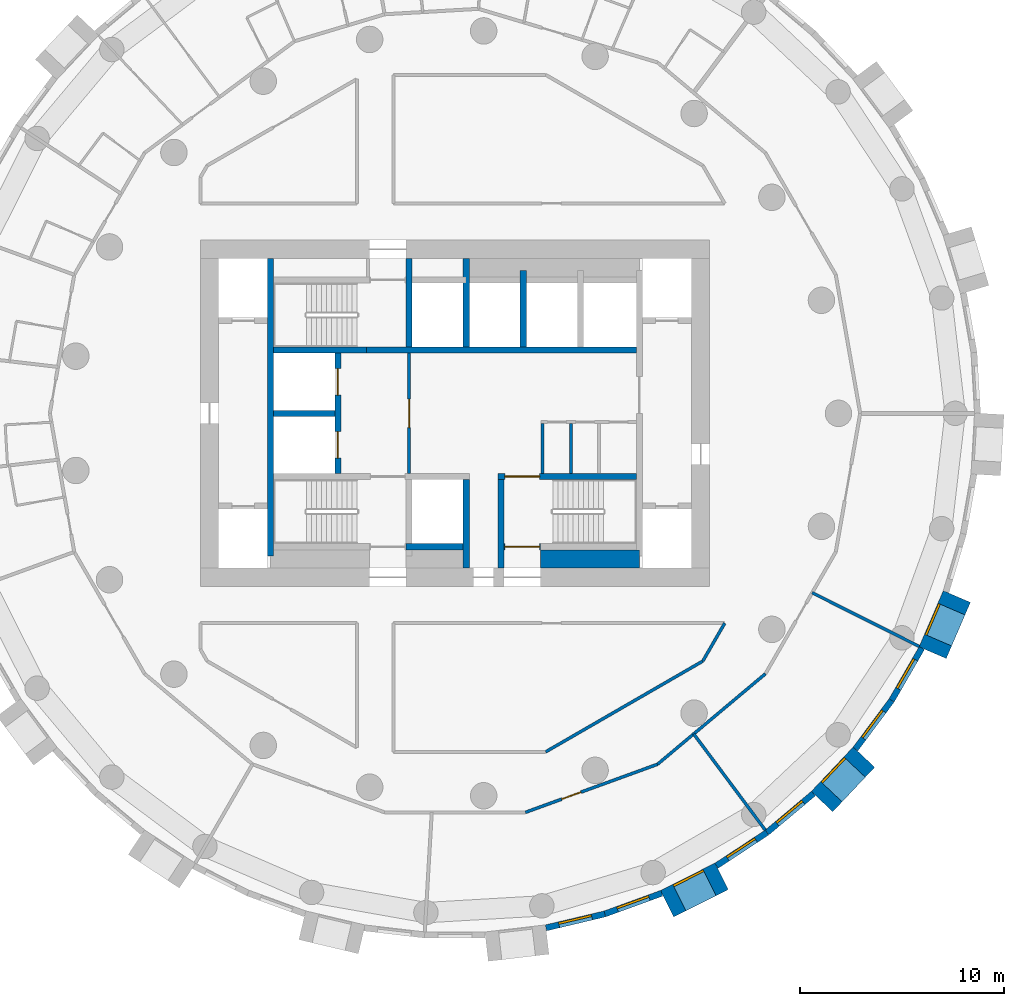
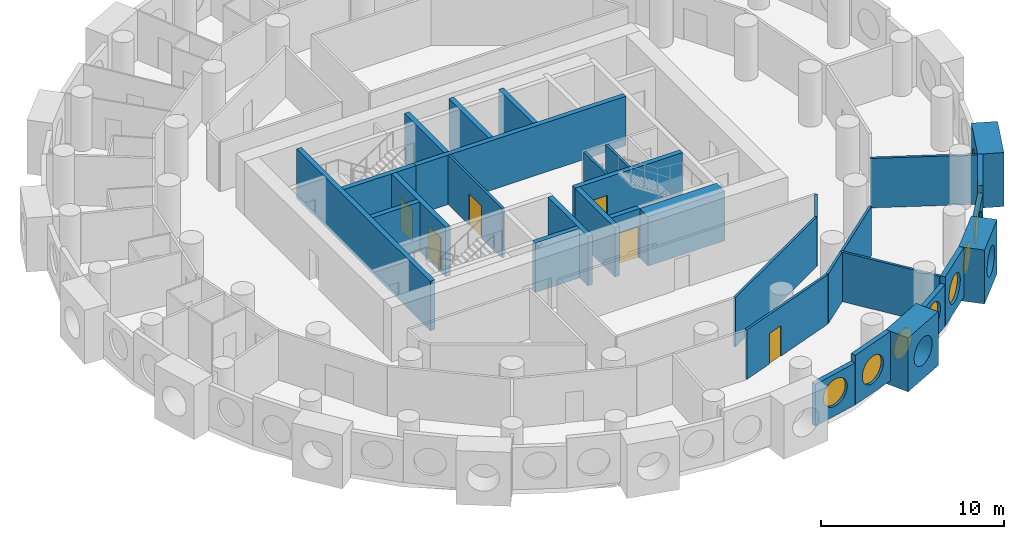
# One storey, part 4 of 10: 32 walls, 9 windows, 6 doors, 15 openings.
"""IFC4 building model written with IfcOpenShell, lengths in metres."""

from ifc_helpers import new_model, si_unit, direction, frame, frame_2d, origin, origin_2d, place, context, subcontext, project, spatial, rectangle, circle, extrude, material, layer, layer_set, type_object, element, fill, save


model = new_model("IFC4")

# Units and contexts
model_context = context("Model", 3, precision=1e-05, world=origin(), true_north=direction((0.0, 1.0)))
body_context = subcontext(model_context, "Body", "Model", "MODEL_VIEW")
ifc_project = project(units=[si_unit("LENGTHUNIT", "METRE"), si_unit("AREAUNIT", "SQUARE_METRE"), si_unit("VOLUMEUNIT", "CUBIC_METRE"), si_unit("PLANEANGLEUNIT", "RADIAN"), si_unit("MASSUNIT", "GRAM", prefix="KILO")], contexts=[model_context])

# Site, building, storey
site_placement = place(None, origin())
site = spatial("IfcSite", under=ifc_project, at=site_placement, CompositionType="ELEMENT")
building_placement = place(site_placement, origin())
building = spatial("IfcBuilding", under=site, at=building_placement, Name="Tracery Tower", CompositionType="ELEMENT")
storey_placement = place(building_placement, frame((0.0, 0.0, 136.800048828125)))
storey = spatial("IfcBuildingStorey", under=building, at=storey_placement, Name="L34", CompositionType="ELEMENT", Elevation=136.800048828125)

# Wall, opening, door
ifc_material_1 = material(Name="Plasterboard on steel studs", Category="steel")
ifc_layer_1 = layer(ifc_material_1, 0.14990234375)
ifc_layer_set_1 = layer_set([ifc_layer_1], Name="Core lobby partition 150")
wall_type_1 = type_object("IfcWallType", Name="Core lobby partition 150", PredefinedType="SOLIDWALL", material=ifc_layer_set_1)
wall_1_placement = place(storey_placement, frame((-2.25, -2.949951171875, 0.0), z_axis=(0.0, 0.0, 1.0), x_axis=(0.0, 1.0, 0.0)))
wall_1 = element("IfcWall", 1, at=wall_1_placement, inside=storey, type_object=wall_type_1, Name="L34 FF lobby E", PredefinedType="SOLIDWALL", context=body_context, shape_type="SweptSolid", body=[
    extrude(rectangle(XDim=5.89990234375, YDim=0.14990234375, at=frame_2d((2.949951171875, 0.0))), origin(), (0.0, 0.0, 1.0), 3.300048828125),
])
opening_1_placement = place(wall_1_placement, frame((2.25, 0.0, 0.0)))
opening_1 = element("IfcOpeningElement", 2, at=opening_1_placement, cuts=wall_1, Name="Opening KD8", PredefinedType="OPENING", context=body_context, shape_type="SweptSolid", body=[
    extrude(rectangle(XDim=1.39990234375, YDim=2.10009765625, at=frame_2d((0.699951171875, 1.050048828125))), frame((0.0, 0.074951171875, 0.0), z_axis=(0.0, -1.0, 0.0), x_axis=(1.0, 0.0, 0.0)), (0.0, 0.0, 1.0), 0.14990234375),
])
ifc_material_2 = material(Name="Steel fire door", Category="steel")
door_type_1 = type_object("IfcDoorType", Name="Core lobby door 1400 double", OperationType="NOTDEFINED", PredefinedType="DOOR", material=ifc_material_2)
door_1_placement = place(opening_1_placement, origin())
door_1 = element("IfcDoor", 3, at=door_1_placement, inside=storey, type_object=door_type_1, Name="Fire-fighting lobby door", OperationType="DOUBLE_DOOR_SINGLE_SWING", OverallHeight=2.10009765625, OverallWidth=1.39990234375, PredefinedType="DOOR", context=body_context, shape_type="SweptSolid", body=[
    extrude(rectangle(XDim=1.39990234375, YDim=2.10009765625, at=frame_2d((0.699951171875, 1.050048828125))), frame((0.0, 0.02490234375, 0.0), z_axis=(0.0, -1.0, 0.0), x_axis=(1.0, 0.0, 0.0)), (0.0, 0.0, 1.0), 0.050048828125),
])
fill(opening_1, door_1)

# Walls
ifc_material_3 = material(Name="Plasterboard on steel studs", Category="steel")
ifc_layer_2 = layer(ifc_material_3, 0.14990234375)
ifc_layer_set_2 = layer_set([ifc_layer_2], Name="Core room partition 150")
wall_type_2 = type_object("IfcWallType", Name="Core room partition 150", PredefinedType="SOLIDWALL", material=ifc_layer_set_2)
for number, where, z_axis, x_axis, name in (
    (4, (4.300048828125, -2.949951171875, 0.0), (0.0, 0.0, 1.0), (0.0, 1.0, 0.0), "L34 slot W"),
    (5, (5.699951171875, -2.949951171875, 0.0), (0.0, 0.0, 1.0), (0.0, 1.0, 0.0), "L34 slot sep 1"),
):
    element("IfcWall", number, at=place(storey_placement, frame(where, z_axis=z_axis, x_axis=x_axis)), inside=storey, type_object=wall_type_2, Name=name, PredefinedType="SOLIDWALL", context=body_context, shape_type="SweptSolid", body=[
        extrude(rectangle(XDim=2.449951171875, YDim=0.14990234375, at=frame_2d((1.22509765625, 0.0))), origin(), (0.0, 0.0, 1.0), 3.300048828125),
    ])
ifc_material_4 = material(Name="Concrete C50/60", Category="concrete")
ifc_layer_3 = layer(ifc_material_4, 0.89990234375)
ifc_layer_set_3 = layer_set([ifc_layer_3], Name="Core strip wall 900 C50")
wall_type_3 = type_object("IfcWallType", Name="Core strip wall 900 C50", PredefinedType="SOLIDWALL", material=ifc_layer_set_3)
wall_2_placement = place(storey_placement, frame((4.199951171875, -7.14990234375, 0.0), z_axis=(0.0, 0.0, 1.0), x_axis=(1.0, 0.0, 0.0)))
element("IfcWall", 6, at=wall_2_placement, inside=storey, type_object=wall_type_3, Name="L34 F thick S E", PredefinedType="SOLIDWALL", context=body_context, shape_type="SweptSolid", body=[
    extrude(rectangle(XDim=4.85009765625, YDim=0.89990234375, at=frame_2d((2.425048828125, 0.0))), origin(), (0.0, 0.0, 1.0), 3.300048828125),
])

# Wall, opening, window
ifc_material_5 = material(Name="Precast concrete C50/60", Category="concrete")
ifc_layer_4 = layer(ifc_material_5, 1.449951171875)
ifc_layer_set_4 = layer_set([ifc_layer_4], Name="Deep-set bay unit 3000 x 3600, slab edge 300")
wall_type_4 = type_object("IfcWallType", Name="Deep-set bay unit 3000 x 3600, slab edge 300", PredefinedType="ELEMENTEDWALL", material=ifc_layer_set_4)
wall_3_placement = place(storey_placement, frame((10.40869140625, -24.067626953125, -0.300048828125), z_axis=(0.0, 0.0, 1.0), x_axis=(0.893628249713, 0.448807922518, 0.0)))
wall_3 = element("IfcWall", 7, at=wall_3_placement, inside=storey, type_object=wall_type_4, Name="Deep-set bay unit 45 at L34", PredefinedType="ELEMENTEDWALL", context=body_context, shape_type="SweptSolid", body=[
    extrude(rectangle(XDim=3.0, YDim=1.449951171875, at=frame_2d((1.5, 0.0))), origin(), (0.0, 0.0, 1.0), 3.60009765625),
])
opening_2_placement = place(wall_3_placement, frame((1.5, 0.0, 1.85009765625)))
opening_2 = element("IfcOpeningElement", 8, at=opening_2_placement, cuts=wall_3, Name="Opening WN1", PredefinedType="OPENING", context=body_context, shape_type="SweptSolid", body=[
    extrude(circle(Radius=0.9000244140625, at=origin_2d()), frame((0.0, 0.73486328125, 0.0), z_axis=(0.0, -1.0, 0.0), x_axis=(1.0, 0.0, 0.0)), (0.0, 0.0, 1.0), 1.469970703125),
])
ifc_material_6 = material(Name="Aluminium frame with tinted double glazing", Category="aluminium")
window_type = type_object("IfcWindowType", Name="Round window 1800", PartitioningType="SINGLE_PANEL", PredefinedType="WINDOW", material=ifc_material_6)
window_1_placement = place(opening_2_placement, origin())
window_1 = element("IfcWindow", 9, at=window_1_placement, inside=storey, type_object=window_type, Name="Round window 45 at L34", OverallHeight=1.800048828125, OverallWidth=1.800048828125, PartitioningType="SINGLE_PANEL", PredefinedType="WINDOW", context=body_context, shape_type="SweptSolid", body=[
    extrude(circle(Radius=0.9000244140625, at=origin_2d()), frame((0.0, 0.69482421875, 0.0), z_axis=(0.0, -1.0, 0.0), x_axis=(1.0, 0.0, 0.0)), (0.0, 0.0, 1.0), 0.10009765625),
])
fill(opening_2, window_1)

wall_4_placement = place(storey_placement, frame((18.0126953125, -19.05615234375, -0.300048828125), z_axis=(0.0, 0.0, 1.0), x_axis=(0.686217177108, 0.727396718334, 0.0)))
wall_4 = element("IfcWall", 10, at=wall_4_placement, inside=storey, type_object=wall_type_4, Name="Deep-set bay unit 48 at L34", PredefinedType="ELEMENTEDWALL", context=body_context, shape_type="SweptSolid", body=[
    extrude(rectangle(XDim=3.0, YDim=1.449951171875, at=frame_2d((1.5, 0.0))), origin(), (0.0, 0.0, 1.0), 3.60009765625),
])
opening_3_placement = place(wall_4_placement, frame((1.5, 0.0, 1.85009765625)))
opening_3 = element("IfcOpeningElement", 11, at=opening_3_placement, cuts=wall_4, Name="Opening WN1", PredefinedType="OPENING", context=body_context, shape_type="SweptSolid", body=[
    extrude(circle(Radius=0.9000244140625, at=origin_2d()), frame((0.0, 0.73486328125, 0.0), z_axis=(0.0, -1.0, 0.0), x_axis=(1.0, 0.0, 0.0)), (0.0, 0.0, 1.0), 1.469970703125),
])
window_2_placement = place(opening_3_placement, origin())
window_2 = element("IfcWindow", 12, at=window_2_placement, inside=storey, type_object=window_type, Name="Round window 48 at L34", OverallHeight=1.800048828125, OverallWidth=1.800048828125, PartitioningType="SINGLE_PANEL", PredefinedType="WINDOW", context=body_context, shape_type="SweptSolid", body=[
    extrude(circle(Radius=0.9000244140625, at=origin_2d()), frame((0.0, 0.69482421875, 0.0), z_axis=(0.0, -1.0, 0.0), x_axis=(1.0, 0.0, 0.0)), (0.0, 0.0, 1.0), 0.10009765625),
])
fill(opening_3, window_2)

wall_5_placement = place(storey_placement, frame((23.44384765625, -11.746337890625, -0.300048828125), z_axis=(0.0, 0.0, 1.0), x_axis=(0.396079003245, 0.918216435917, 0.0)))
wall_5 = element("IfcWall", 13, at=wall_5_placement, inside=storey, type_object=wall_type_4, Name="Deep-set bay unit 51 at L34", PredefinedType="ELEMENTEDWALL", context=body_context, shape_type="SweptSolid", body=[
    extrude(rectangle(XDim=3.0, YDim=1.449951171875, at=frame_2d((1.5, 0.0))), origin(), (0.0, 0.0, 1.0), 3.60009765625),
])
opening_4_placement = place(wall_5_placement, frame((1.5, 0.0, 1.85009765625)))
opening_4 = element("IfcOpeningElement", 14, at=opening_4_placement, cuts=wall_5, Name="Opening WN1", PredefinedType="OPENING", context=body_context, shape_type="SweptSolid", body=[
    extrude(circle(Radius=0.9000244140625, at=origin_2d()), frame((0.0, 0.73486328125, 0.0), z_axis=(0.0, -1.0, 0.0), x_axis=(1.0, 0.0, 0.0)), (0.0, 0.0, 1.0), 1.469970703125),
])
window_3_placement = place(opening_4_placement, origin())
window_3 = element("IfcWindow", 15, at=window_3_placement, inside=storey, type_object=window_type, Name="Round window 51 at L34", OverallHeight=1.800048828125, OverallWidth=1.800048828125, PartitioningType="SINGLE_PANEL", PredefinedType="WINDOW", context=body_context, shape_type="SweptSolid", body=[
    extrude(circle(Radius=0.9000244140625, at=origin_2d()), frame((0.0, 0.69482421875, 0.0), z_axis=(0.0, -1.0, 0.0), x_axis=(1.0, 0.0, 0.0)), (0.0, 0.0, 1.0), 0.10009765625),
])
fill(opening_4, window_3)

ifc_material_7 = material(Name="Precast concrete C50/60", Category="concrete")
ifc_layer_5 = layer(ifc_material_7, 0.300048828125)
ifc_layer_set_5 = layer_set([ifc_layer_5], Name="Facade panel 3000 x 2800")
wall_type_5 = type_object("IfcWallType", Name="Facade panel 3000 x 2800", PredefinedType="SOLIDWALL", material=ifc_layer_set_5)
wall_6_placement = place(storey_placement, frame((4.463134765625, -25.255615234375, 0.0), z_axis=(0.0, 0.0, 1.0), x_axis=(0.973045378923, 0.230613725862, 0.0)))
wall_6 = element("IfcWall", 16, at=wall_6_placement, inside=storey, type_object=wall_type_5, Name="Facade panel 43 at L34", PredefinedType="SOLIDWALL", context=body_context, shape_type="SweptSolid", body=[
    extrude(rectangle(XDim=2.97265625, YDim=0.300048828125, at=frame_2d((1.486328125, 0.0))), origin(), (0.0, 0.0, 1.0), 2.800048828125),
])
opening_5_placement = place(wall_6_placement, frame((1.486328125, 0.0, 1.5498046875)))
opening_5 = element("IfcOpeningElement", 17, at=opening_5_placement, cuts=wall_6, Name="Opening WN1", PredefinedType="OPENING", context=body_context, shape_type="SweptSolid", body=[
    extrude(circle(Radius=0.9000244140625, at=origin_2d()), frame((0.0, 0.159912109375, 0.0), z_axis=(0.0, -1.0, 0.0), x_axis=(1.0, 0.0, 0.0)), (0.0, 0.0, 1.0), 0.320068359375),
])
window_4_placement = place(opening_5_placement, origin())
window_4 = element("IfcWindow", 18, at=window_4_placement, inside=storey, type_object=window_type, Name="Round window 43 at L34", OverallHeight=1.800048828125, OverallWidth=1.800048828125, PartitioningType="SINGLE_PANEL", PredefinedType="WINDOW", context=body_context, shape_type="SweptSolid", body=[
    extrude(circle(Radius=0.9000244140625, at=origin_2d()), frame((0.0, 0.1201171875, 0.0), z_axis=(0.0, -1.0, 0.0), x_axis=(1.0, 0.0, 0.0)), (0.0, 0.0, 1.0), 0.10009765625),
])
fill(opening_5, window_4)

wall_7_placement = place(storey_placement, frame((12.831787109375, -22.2060546875, 0.0), z_axis=(0.0, 0.0, 1.0), x_axis=(0.835508361394, 0.54947773207, 0.0)))
wall_7 = element("IfcWall", 19, at=wall_7_placement, inside=storey, type_object=wall_type_5, Name="Facade panel 46 at L34", PredefinedType="SOLIDWALL", context=body_context, shape_type="SweptSolid", body=[
    extrude(rectangle(XDim=2.972900390625, YDim=0.300048828125, at=frame_2d((1.486328125, 0.0))), origin(), (0.0, 0.0, 1.0), 2.800048828125),
])
opening_6_placement = place(wall_7_placement, frame((1.486328125, 0.0, 1.5498046875)))
opening_6 = element("IfcOpeningElement", 20, at=opening_6_placement, cuts=wall_7, Name="Opening WN1", PredefinedType="OPENING", context=body_context, shape_type="SweptSolid", body=[
    extrude(circle(Radius=0.9000244140625, at=origin_2d()), frame((0.0, 0.159912109375, 0.0), z_axis=(0.0, -1.0, 0.0), x_axis=(1.0, 0.0, 0.0)), (0.0, 0.0, 1.0), 0.320068359375),
])
window_5_placement = place(opening_6_placement, origin())
window_5 = element("IfcWindow", 21, at=window_5_placement, inside=storey, type_object=window_type, Name="Round window 46 at L34", OverallHeight=1.800048828125, OverallWidth=1.800048828125, PartitioningType="SINGLE_PANEL", PredefinedType="WINDOW", context=body_context, shape_type="SweptSolid", body=[
    extrude(circle(Radius=0.9000244140625, at=origin_2d()), frame((0.0, 0.1201171875, 0.0), z_axis=(0.0, -1.0, 0.0), x_axis=(1.0, 0.0, 0.0)), (0.0, 0.0, 1.0), 0.10009765625),
])
fill(opening_6, window_5)

wall_8_placement = place(storey_placement, frame((19.65283203125, -16.47802734375, 0.0), z_axis=(0.0, 0.0, 1.0), x_axis=(0.597197580538, 0.80209416517, 0.0)))
wall_8 = element("IfcWall", 22, at=wall_8_placement, inside=storey, type_object=wall_type_5, Name="Facade panel 49 at L34", PredefinedType="SOLIDWALL", context=body_context, shape_type="SweptSolid", body=[
    extrude(rectangle(XDim=2.972900390625, YDim=0.300048828125, at=frame_2d((1.486328125, 0.0))), origin(), (0.0, 0.0, 1.0), 2.800048828125),
])
opening_7_placement = place(wall_8_placement, frame((1.486328125, 0.0, 1.5498046875)))
opening_7 = element("IfcOpeningElement", 23, at=opening_7_placement, cuts=wall_8, Name="Opening WN1", PredefinedType="OPENING", context=body_context, shape_type="SweptSolid", body=[
    extrude(circle(Radius=0.9000244140625, at=origin_2d()), frame((0.0, 0.159912109375, 0.0), z_axis=(0.0, -1.0, 0.0), x_axis=(1.0, 0.0, 0.0)), (0.0, 0.0, 1.0), 0.320068359375),
])
window_6_placement = place(opening_7_placement, origin())
window_6 = element("IfcWindow", 24, at=window_6_placement, inside=storey, type_object=window_type, Name="Round window 49 at L34", OverallHeight=1.800048828125, OverallWidth=1.800048828125, PartitioningType="SINGLE_PANEL", PredefinedType="WINDOW", context=body_context, shape_type="SweptSolid", body=[
    extrude(circle(Radius=0.9000244140625, at=origin_2d()), frame((0.0, 0.1201171875, 0.0), z_axis=(0.0, -1.0, 0.0), x_axis=(1.0, 0.0, 0.0)), (0.0, 0.0, 1.0), 0.10009765625),
])
fill(opening_7, window_6)

ifc_material_8 = material(Name="Precast concrete C50/60", Category="concrete")
ifc_layer_6 = layer(ifc_material_8, 0.300048828125)
ifc_layer_set_6 = layer_set([ifc_layer_6], Name="Facade panel 3000 x 3300")
wall_type_6 = type_object("IfcWallType", Name="Facade panel 3000 x 3300", PredefinedType="SOLIDWALL", material=ifc_layer_set_6)
wall_9_placement = place(storey_placement, frame((7.355712890625, -24.570068359375, 0.0), z_axis=(0.0, 0.0, 1.0), x_axis=(0.939690282133, 0.342026568652, 0.0)))
wall_9 = element("IfcWall", 25, at=wall_9_placement, inside=storey, type_object=wall_type_6, Name="Facade panel 44 at L34", PredefinedType="SOLIDWALL", context=body_context, shape_type="SweptSolid", body=[
    extrude(rectangle(XDim=2.972900390625, YDim=0.300048828125, at=frame_2d((1.486328125, 0.0))), origin(), (0.0, 0.0, 1.0), 3.300048828125),
])
opening_8_placement = place(wall_9_placement, frame((1.486328125, 0.0, 1.5498046875)))
opening_8 = element("IfcOpeningElement", 26, at=opening_8_placement, cuts=wall_9, Name="Opening WN1", PredefinedType="OPENING", context=body_context, shape_type="SweptSolid", body=[
    extrude(circle(Radius=0.9000244140625, at=origin_2d()), frame((0.0, 0.159912109375, 0.0), z_axis=(0.0, -1.0, 0.0), x_axis=(1.0, 0.0, 0.0)), (0.0, 0.0, 1.0), 0.320068359375),
])
window_7_placement = place(opening_8_placement, origin())
window_7 = element("IfcWindow", 27, at=window_7_placement, inside=storey, type_object=window_type, Name="Round window 44 at L34", OverallHeight=1.800048828125, OverallWidth=1.800048828125, PartitioningType="SINGLE_PANEL", PredefinedType="WINDOW", context=body_context, shape_type="SweptSolid", body=[
    extrude(circle(Radius=0.9000244140625, at=origin_2d()), frame((0.0, 0.1201171875, 0.0), z_axis=(0.0, -1.0, 0.0), x_axis=(1.0, 0.0, 0.0)), (0.0, 0.0, 1.0), 0.10009765625),
])
fill(opening_8, window_7)

wall_10_placement = place(storey_placement, frame((15.315673828125, -20.572509765625, 0.0), z_axis=(0.0, 0.0, 1.0), x_axis=(0.766008913364, 0.642829950023, 0.0)))
wall_10 = element("IfcWall", 28, at=wall_10_placement, inside=storey, type_object=wall_type_6, Name="Facade panel 47 at L34", PredefinedType="SOLIDWALL", context=body_context, shape_type="SweptSolid", body=[
    extrude(rectangle(XDim=2.972900390625, YDim=0.300048828125, at=frame_2d((1.486328125, 0.0))), origin(), (0.0, 0.0, 1.0), 3.300048828125),
])
opening_9_placement = place(wall_10_placement, frame((1.486328125, 0.0, 1.5498046875)))
opening_9 = element("IfcOpeningElement", 29, at=opening_9_placement, cuts=wall_10, Name="Opening WN1", PredefinedType="OPENING", context=body_context, shape_type="SweptSolid", body=[
    extrude(circle(Radius=0.9000244140625, at=origin_2d()), frame((0.0, 0.159912109375, 0.0), z_axis=(0.0, -1.0, 0.0), x_axis=(1.0, 0.0, 0.0)), (0.0, 0.0, 1.0), 0.320068359375),
])
window_8_placement = place(opening_9_placement, origin())
window_8 = element("IfcWindow", 30, at=window_8_placement, inside=storey, type_object=window_type, Name="Round window 47 at L34", OverallHeight=1.800048828125, OverallWidth=1.800048828125, PartitioningType="SINGLE_PANEL", PredefinedType="WINDOW", context=body_context, shape_type="SweptSolid", body=[
    extrude(circle(Radius=0.9000244140625, at=origin_2d()), frame((0.0, 0.1201171875, 0.0), z_axis=(0.0, -1.0, 0.0), x_axis=(1.0, 0.0, 0.0)), (0.0, 0.0, 1.0), 0.10009765625),
])
fill(opening_9, window_8)

wall_11_placement = place(storey_placement, frame((21.42822265625, -14.093505859375, 0.0), z_axis=(0.0, 0.0, 1.0), x_axis=(0.499954672104, 0.866051572276, 0.0)))
wall_11 = element("IfcWall", 31, at=wall_11_placement, inside=storey, type_object=wall_type_6, Name="Facade panel 50 at L34", PredefinedType="SOLIDWALL", context=body_context, shape_type="SweptSolid", body=[
    extrude(rectangle(XDim=2.972900390625, YDim=0.300048828125, at=frame_2d((1.486328125, 0.0))), origin(), (0.0, 0.0, 1.0), 3.300048828125),
])
opening_10_placement = place(wall_11_placement, frame((1.486328125, 0.0, 1.5498046875)))
opening_10 = element("IfcOpeningElement", 32, at=opening_10_placement, cuts=wall_11, Name="Opening WN1", PredefinedType="OPENING", context=body_context, shape_type="SweptSolid", body=[
    extrude(circle(Radius=0.9000244140625, at=origin_2d()), frame((0.0, 0.159912109375, 0.0), z_axis=(0.0, -1.0, 0.0), x_axis=(1.0, 0.0, 0.0)), (0.0, 0.0, 1.0), 0.320068359375),
])
window_9_placement = place(opening_10_placement, origin())
window_9 = element("IfcWindow", 33, at=window_9_placement, inside=storey, type_object=window_type, Name="Round window 50 at L34", OverallHeight=1.800048828125, OverallWidth=1.800048828125, PartitioningType="SINGLE_PANEL", PredefinedType="WINDOW", context=body_context, shape_type="SweptSolid", body=[
    extrude(circle(Radius=0.9000244140625, at=origin_2d()), frame((0.0, 0.1201171875, 0.0), z_axis=(0.0, -1.0, 0.0), x_axis=(1.0, 0.0, 0.0)), (0.0, 0.0, 1.0), 0.10009765625),
])
fill(opening_10, window_9)

# Walls
ifc_material_9 = material(Name="Plasterboard on steel studs", Category="steel")
ifc_layer_7 = layer(ifc_material_9, 0.14990234375)
ifc_layer_set_7 = layer_set([ifc_layer_7], Name="Partition 150 acoustic unit wall")
wall_type_7 = type_object("IfcWallType", Name="Partition 150 acoustic unit wall", PredefinedType="PARTITIONING", material=ifc_layer_set_7)
wall_12_placement = place(storey_placement, frame((11.716064453125, -15.737060546875, 0.0), z_axis=(0.0, 0.0, 1.0), x_axis=(0.597151875745, -0.802128192557, 0.0)))
element("IfcWall", 34, at=wall_12_placement, inside=storey, type_object=wall_type_7, Name="Unit wall RB2-079", PredefinedType="PARTITIONING", context=body_context, shape_type="SweptSolid", body=[
    extrude(rectangle(XDim=5.8779296875, YDim=0.14990234375, at=frame_2d((2.93896484375, 0.0))), origin(), (0.0, 0.0, 1.0), 3.300048828125),
])
wall_13_placement = place(storey_placement, frame((17.531982421875, -8.804931640625, 0.0), z_axis=(0.0, 0.0, 1.0), x_axis=(0.893628331628, -0.448807759415, 0.0)))
element("IfcWall", 35, at=wall_13_placement, inside=storey, type_object=wall_type_7, Name="Unit wall RB2-080", PredefinedType="PARTITIONING", context=body_context, shape_type="SweptSolid", body=[
    extrude(rectangle(XDim=5.878173828125, YDim=0.14990234375, at=frame_2d((2.93896484375, 0.0))), origin(), (0.0, 0.0, 1.0), 3.300048828125),
])
ifc_material_10 = material(Name="Plasterboard on steel studs", Category="steel")
ifc_layer_8 = layer(ifc_material_10, 0.14990234375)
ifc_layer_set_8 = layer_set([ifc_layer_8], Name="Partition 150 corridor wall")
wall_type_8 = type_object("IfcWallType", Name="Partition 150 corridor wall", PredefinedType="PARTITIONING", material=ifc_layer_set_8)
wall_14_placement = place(storey_placement, frame((12.162109375, -12.162109375, 0.0), z_axis=(0.0, 0.0, 1.0), x_axis=(0.499961633463, 0.866047553582, 0.0)))
element("IfcWall", 36, at=wall_14_placement, inside=storey, type_object=wall_type_8, Name="Corridor wall RB2-006", PredefinedType="PARTITIONING", context=body_context, shape_type="SweptSolid", body=[
    extrude(rectangle(XDim=2.150146484375, YDim=0.14990234375, at=frame_2d((1.0751953125, 0.0))), origin(), (0.0, 0.0, 1.0), 3.300048828125),
])
wall_15_placement = place(storey_placement, frame((9.943359375, -17.22216796875, 0.0), z_axis=(0.0, 0.0, 1.0), x_axis=(0.766192104565, 0.642611592567, 0.0)))
element("IfcWall", 37, at=wall_15_placement, inside=storey, type_object=wall_type_8, Name="Corridor wall RB2-011", PredefinedType="PARTITIONING", context=body_context, shape_type="SweptSolid", body=[
    extrude(rectangle(XDim=6.906494140625, YDim=0.14990234375, at=frame_2d((3.453125, 0.0))), origin(), (0.0, 0.0, 1.0), 3.300048828125),
])
wall_16_placement = place(storey_placement, frame((4.451904296875, -16.614013671875, 0.0), z_axis=(0.0, 0.0, 1.0), x_axis=(0.866005203721, 0.500034985904, 0.0)))
element("IfcWall", 38, at=wall_16_placement, inside=storey, type_object=wall_type_8, Name="Corridor wall RB2-036", PredefinedType="PARTITIONING", context=body_context, shape_type="SweptSolid", body=[
    extrude(rectangle(XDim=8.903076171875, YDim=0.14990234375, at=frame_2d((4.45166015625, 0.0))), origin(), (0.0, 0.0, 1.0), 3.300048828125),
])

# Wall, opening, door
wall_17_placement = place(storey_placement, frame((3.452880859375, -19.5859375, 0.0), z_axis=(0.0, 0.0, 1.0), x_axis=(0.939672634566, 0.342075050021, 0.0)))
wall_17 = element("IfcWall", 39, at=wall_17_placement, inside=storey, type_object=wall_type_8, Name="Corridor wall RB2-039", PredefinedType="PARTITIONING", context=body_context, shape_type="SweptSolid", body=[
    extrude(rectangle(XDim=6.907958984375, YDim=0.14990234375, at=frame_2d((3.4541015625, 0.0))), origin(), (0.0, 0.0, 1.0), 3.300048828125),
])
opening_11_placement = place(wall_17_placement, frame((1.90380859375, 0.0, 0.0)))
opening_11 = element("IfcOpeningElement", 40, at=opening_11_placement, cuts=wall_17, Name="Opening RB2-30", PredefinedType="OPENING", context=body_context, shape_type="SweptSolid", body=[
    extrude(rectangle(XDim=1.0, YDim=2.0400390625, at=frame_2d((0.5, 1.02001953125))), frame((0.0, 0.074951171875, 0.0), z_axis=(0.0, -1.0, 0.0), x_axis=(1.0, 0.0, 0.0)), (0.0, 0.0, 1.0), 0.14990234375),
])
ifc_material_11 = material(Name="Timber door leaf", Category="wood")
door_type_2 = type_object("IfcDoorType", Name="Door communal room 1000", OperationType="NOTDEFINED", PredefinedType="DOOR", material=ifc_material_11)
door_2_placement = place(opening_11_placement, origin())
door_2 = element("IfcDoor", 41, at=door_2_placement, inside=storey, type_object=door_type_2, Name="Communal room door RB2-30", OperationType="SINGLE_SWING_RIGHT", OverallHeight=2.0400390625, OverallWidth=1.0, PredefinedType="DOOR", context=body_context, shape_type="SweptSolid", body=[
    extrude(rectangle(XDim=1.0, YDim=2.0400390625, at=frame_2d((0.5, 1.02001953125))), frame((0.0, 0.02490234375, 0.0), z_axis=(0.0, -1.0, 0.0), x_axis=(1.0, 0.0, 0.0)), (0.0, 0.0, 1.0), 0.050048828125),
])
fill(opening_11, door_2)

# Wall
ifc_material_12 = material(Name="Concrete C50/60", Category="concrete")
ifc_layer_9 = layer(ifc_material_12, 0.300048828125)
ifc_layer_set_9 = layer_set([ifc_layer_9], Name="Shaft wall 300 C50")
wall_type_9 = type_object("IfcWallType", Name="Shaft wall 300 C50", PredefinedType="SOLIDWALL", material=ifc_layer_set_9)
wall_18_placement = place(storey_placement, frame((-8.89990234375, 0.0, 0.0), z_axis=(0.0, 0.0, 1.0), x_axis=(1.0, 0.0, 0.0)))
element("IfcWall", 42, at=wall_18_placement, inside=storey, type_object=wall_type_9, Name="L34 FF split", PredefinedType="SOLIDWALL", context=body_context, shape_type="SweptSolid", body=[
    extrude(rectangle(XDim=3.0, YDim=0.300048828125, at=frame_2d((1.5, 0.0))), origin(), (0.0, 0.0, 1.0), 3.300048828125),
])

# Wall, openings, doors
wall_19_placement = place(storey_placement, frame((-5.75, -2.949951171875, 0.0), z_axis=(0.0, 0.0, 1.0), x_axis=(0.0, 1.0, 0.0)))
wall_19 = element("IfcWall", 43, at=wall_19_placement, inside=storey, type_object=wall_type_9, Name="L34 FF doors", PredefinedType="SOLIDWALL", context=body_context, shape_type="SweptSolid", body=[
    extrude(rectangle(XDim=5.89990234375, YDim=0.300048828125, at=frame_2d((2.949951171875, 0.0))), origin(), (0.0, 0.0, 1.0), 3.300048828125),
])
opening_12_placement = place(wall_19_placement, frame((0.75, 0.0, 0.0)))
opening_12 = element("IfcOpeningElement", 44, at=opening_12_placement, cuts=wall_19, Name="Opening KD54", PredefinedType="OPENING", context=body_context, shape_type="SweptSolid", body=[
    extrude(rectangle(XDim=1.300048828125, YDim=2.10009765625, at=frame_2d((0.64990234375, 1.050048828125))), frame((0.0, 0.14990234375, 0.0), z_axis=(0.0, -1.0, 0.0), x_axis=(1.0, 0.0, 0.0)), (0.0, 0.0, 1.0), 0.300048828125),
])
opening_13_placement = place(wall_19_placement, frame((3.85009765625, 0.0, 0.0)))
opening_13 = element("IfcOpeningElement", 45, at=opening_13_placement, cuts=wall_19, Name="Opening KD55", PredefinedType="OPENING", context=body_context, shape_type="SweptSolid", body=[
    extrude(rectangle(XDim=1.300048828125, YDim=2.10009765625, at=frame_2d((0.64990234375, 1.050048828125))), frame((0.0, 0.14990234375, 0.0), z_axis=(0.0, -1.0, 0.0), x_axis=(1.0, 0.0, 0.0)), (0.0, 0.0, 1.0), 0.300048828125),
])
ifc_material_13 = material(Name="Steel fire door", Category="steel")
door_type_3 = type_object("IfcDoorType", Name="Landing door FF 1300", OperationType="NOTDEFINED", PredefinedType="DOOR", material=ifc_material_13)
door_3_placement = place(opening_12_placement, origin())
door_3 = element("IfcDoor", 46, at=door_3_placement, inside=storey, type_object=door_type_3, Name="Landing door FF1", OperationType="SLIDING_TO_LEFT", OverallHeight=2.10009765625, OverallWidth=1.300048828125, PredefinedType="DOOR", context=body_context, shape_type="SweptSolid", body=[
    extrude(rectangle(XDim=1.300048828125, YDim=2.10009765625, at=frame_2d((0.64990234375, 1.050048828125))), frame((0.0, 0.02490234375, 0.0), z_axis=(0.0, -1.0, 0.0), x_axis=(1.0, 0.0, 0.0)), (0.0, 0.0, 1.0), 0.050048828125),
])
fill(opening_12, door_3)
door_4_placement = place(opening_13_placement, origin())
door_4 = element("IfcDoor", 47, at=door_4_placement, inside=storey, type_object=door_type_3, Name="Landing door FF2", OperationType="SLIDING_TO_RIGHT", OverallHeight=2.10009765625, OverallWidth=1.300048828125, PredefinedType="DOOR", context=body_context, shape_type="SweptSolid", body=[
    extrude(rectangle(XDim=1.300048828125, YDim=2.10009765625, at=frame_2d((0.64990234375, 1.050048828125))), frame((0.0, 0.02490234375, 0.0), z_axis=(0.0, -1.0, 0.0), x_axis=(1.0, 0.0, 0.0)), (0.0, 0.0, 1.0), 0.050048828125),
])
fill(opening_13, door_4)

# Walls
for number, where, z_axis, x_axis, name in (
    (48, (0.550048828125, -7.60009765625, 0.0), (0.0, 0.0, 1.0), (0.0, 1.0, 0.0), "L34 OB2 E"),
    (49, (0.550048828125, 3.25, 0.0), (0.0, 0.0, 1.0), (0.0, 1.0, 0.0), "L34 HR sep 1"),
):
    element("IfcWall", number, at=place(storey_placement, frame(where, z_axis=z_axis, x_axis=x_axis)), inside=storey, type_object=wall_type_9, Name=name, PredefinedType="SOLIDWALL", context=body_context, shape_type="SweptSolid", body=[
        extrude(rectangle(XDim=4.35009765625, YDim=0.300048828125, at=frame_2d((2.175048828125, 0.0))), origin(), (0.0, 0.0, 1.0), 3.300048828125),
    ])
wall_20_placement = place(storey_placement, frame((3.35009765625, 3.25, 0.0), z_axis=(0.0, 0.0, 1.0), x_axis=(0.0, 1.0, 0.0)))
element("IfcWall", 50, at=wall_20_placement, inside=storey, type_object=wall_type_9, Name="L34 HR sep 2", PredefinedType="SOLIDWALL", context=body_context, shape_type="SweptSolid", body=[
    extrude(rectangle(XDim=3.75, YDim=0.300048828125, at=frame_2d((1.875, 0.0))), origin(), (0.0, 0.0, 1.0), 3.300048828125),
])

# Wall, opening, door
ifc_material_14 = material(Name="Concrete C50/60", Category="concrete")
ifc_layer_10 = layer(ifc_material_14, 0.300048828125)
ifc_layer_set_10 = layer_set([ifc_layer_10], Name="Stair wall 300 C50")
wall_type_10 = type_object("IfcWallType", Name="Stair wall 300 C50", PredefinedType="SOLIDWALL", material=ifc_layer_set_10)
wall_21_placement = place(storey_placement, frame((2.10009765625, -3.10009765625, 0.0), z_axis=(0.0, 0.0, 1.0), x_axis=(1.0, 0.0, 0.0)))
wall_21 = element("IfcWall", 51, at=wall_21_placement, inside=storey, type_object=wall_type_10, Name="L34 row S E", PredefinedType="SOLIDWALL", context=body_context, shape_type="SweptSolid", body=[
    extrude(rectangle(XDim=6.7998046875, YDim=0.300048828125, at=frame_2d((3.39990234375, 0.0))), origin(), (0.0, 0.0, 1.0), 3.300048828125),
])
opening_14_placement = place(wall_21_placement, frame((0.35009765625, 0.0, 0.0)))
opening_14 = element("IfcOpeningElement", 52, at=opening_14_placement, cuts=wall_21, Name="Opening KD3", PredefinedType="OPENING", context=body_context, shape_type="SweptSolid", body=[
    extrude(rectangle(XDim=1.699951171875, YDim=2.10009765625, at=frame_2d((0.85009765625, 1.050048828125))), frame((0.0, 0.14990234375, 0.0), z_axis=(0.0, -1.0, 0.0), x_axis=(1.0, 0.0, 0.0)), (0.0, 0.0, 1.0), 0.300048828125),
])
ifc_material_15 = material(Name="Steel fire door", Category="steel")
door_type_4 = type_object("IfcDoorType", Name="Core stair door 1700 double", OperationType="NOTDEFINED", PredefinedType="DOOR", material=ifc_material_15)
door_5_placement = place(opening_14_placement, origin())
door_5 = element("IfcDoor", 53, at=door_5_placement, inside=storey, type_object=door_type_4, Name="Stair door ST2", OperationType="DOUBLE_DOOR_SINGLE_SWING", OverallHeight=2.10009765625, OverallWidth=1.699951171875, PredefinedType="DOOR", context=body_context, shape_type="SweptSolid", body=[
    extrude(rectangle(XDim=1.699951171875, YDim=2.10009765625, at=frame_2d((0.85009765625, 1.050048828125))), frame((0.0, 0.02490234375, 0.0), z_axis=(0.0, -1.0, 0.0), x_axis=(1.0, 0.0, 0.0)), (0.0, 0.0, 1.0), 0.050048828125),
])
fill(opening_14, door_5)

# Walls
wall_22_placement = place(storey_placement, frame((-8.89990234375, 3.10009765625, 0.0), z_axis=(0.0, 0.0, 1.0), x_axis=(1.0, 0.0, 0.0)))
element("IfcWall", 54, at=wall_22_placement, inside=storey, type_object=wall_type_10, Name="L34 row N W", PredefinedType="SOLIDWALL", context=body_context, shape_type="SweptSolid", body=[
    extrude(rectangle(XDim=4.5498046875, YDim=0.300048828125, at=frame_2d((2.27490234375, 0.0))), origin(), (0.0, 0.0, 1.0), 3.300048828125),
])
wall_23_placement = place(storey_placement, frame((-4.35009765625, 3.10009765625, 0.0), z_axis=(0.0, 0.0, 1.0), x_axis=(1.0, 0.0, 0.0)))
element("IfcWall", 55, at=wall_23_placement, inside=storey, type_object=wall_type_10, Name="L34 row N", PredefinedType="SOLIDWALL", context=body_context, shape_type="SweptSolid", body=[
    extrude(rectangle(XDim=13.25, YDim=0.300048828125, at=frame_2d((6.625, 0.0))), origin(), (0.0, 0.0, 1.0), 3.300048828125),
])
for number, where, z_axis, x_axis, name in (
    (56, (-2.25, 3.25, 0.0), (0.0, 0.0, 1.0), (0.0, 1.0, 0.0), "L34 ST3 E"),
    (57, (2.25, -7.60009765625, 0.0), (0.0, 0.0, 1.0), (0.0, 1.0, 0.0), "L34 ST2 W"),
):
    element("IfcWall", number, at=place(storey_placement, frame(where, z_axis=z_axis, x_axis=x_axis)), inside=storey, type_object=wall_type_10, Name=name, PredefinedType="SOLIDWALL", context=body_context, shape_type="SweptSolid", body=[
        extrude(rectangle(XDim=4.35009765625, YDim=0.300048828125, at=frame_2d((2.175048828125, 0.0))), origin(), (0.0, 0.0, 1.0), 3.300048828125),
    ])
wall_24_placement = place(storey_placement, frame((-9.050048828125, -7.0, 0.0), z_axis=(0.0, 0.0, 1.0), x_axis=(0.0, 1.0, 0.0)))
element("IfcWall", 58, at=wall_24_placement, inside=storey, type_object=wall_type_10, Name="L34 F wall -9", PredefinedType="SOLIDWALL", context=body_context, shape_type="SweptSolid", body=[
    extrude(rectangle(XDim=14.60009765625, YDim=0.300048828125, at=frame_2d((7.300048828125, 0.0))), origin(), (0.0, 0.0, 1.0), 3.300048828125),
])
wall_25_placement = place(storey_placement, frame((-2.39990234375, -6.550048828125, 0.0), z_axis=(0.0, 0.0, 1.0), x_axis=(1.0, 0.0, 0.0)))
element("IfcWall", 59, at=wall_25_placement, inside=storey, type_object=wall_type_10, Name="L34 F stair strip S mid", PredefinedType="SOLIDWALL", context=body_context, shape_type="SweptSolid", body=[
    extrude(rectangle(XDim=2.7998046875, YDim=0.300048828125, at=frame_2d((1.39990234375, 0.0))), origin(), (0.0, 0.0, 1.0), 3.300048828125),
])

# Wall, opening, door
wall_26_placement = place(storey_placement, frame((2.39990234375, -6.550048828125, 0.0), z_axis=(0.0, 0.0, 1.0), x_axis=(1.0, 0.0, 0.0)))
wall_26 = element("IfcWall", 60, at=wall_26_placement, inside=storey, type_object=wall_type_10, Name="L34 F stair S E", PredefinedType="SOLIDWALL", context=body_context, shape_type="SweptSolid", body=[
    extrude(rectangle(XDim=1.800048828125, YDim=0.300048828125, at=frame_2d((0.89990234375, 0.0))), origin(), (0.0, 0.0, 1.0), 3.300048828125),
])
opening_15_placement = place(wall_26_placement, frame((0.050048828125, 0.0, 0.0)))
opening_15 = element("IfcOpeningElement", 61, at=opening_15_placement, cuts=wall_26, Name="Opening KD3", PredefinedType="OPENING", context=body_context, shape_type="SweptSolid", body=[
    extrude(rectangle(XDim=1.699951171875, YDim=2.10009765625, at=frame_2d((0.85009765625, 1.050048828125))), frame((0.0, 0.14990234375, 0.0), z_axis=(0.0, -1.0, 0.0), x_axis=(1.0, 0.0, 0.0)), (0.0, 0.0, 1.0), 0.300048828125),
])
door_6_placement = place(opening_15_placement, origin())
door_6 = element("IfcDoor", 62, at=door_6_placement, inside=storey, type_object=door_type_4, Name="Stair door vest", OperationType="DOUBLE_DOOR_SINGLE_SWING", OverallHeight=2.10009765625, OverallWidth=1.699951171875, PredefinedType="DOOR", context=body_context, shape_type="SweptSolid", body=[
    extrude(rectangle(XDim=1.699951171875, YDim=2.10009765625, at=frame_2d((0.85009765625, 1.050048828125))), frame((0.0, 0.02490234375, 0.0), z_axis=(0.0, -1.0, 0.0), x_axis=(1.0, 0.0, 0.0)), (0.0, 0.0, 1.0), 0.050048828125),
])
fill(opening_15, door_6)

save(model, "model.ifc")
